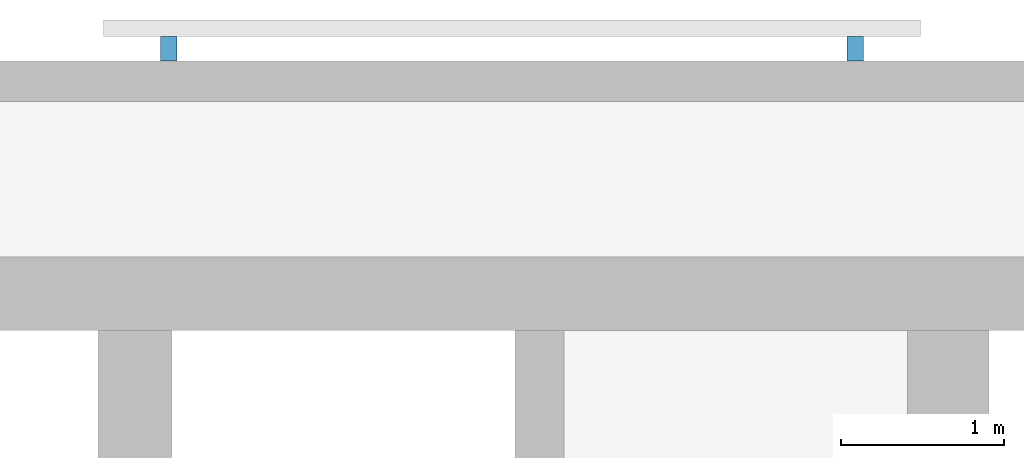
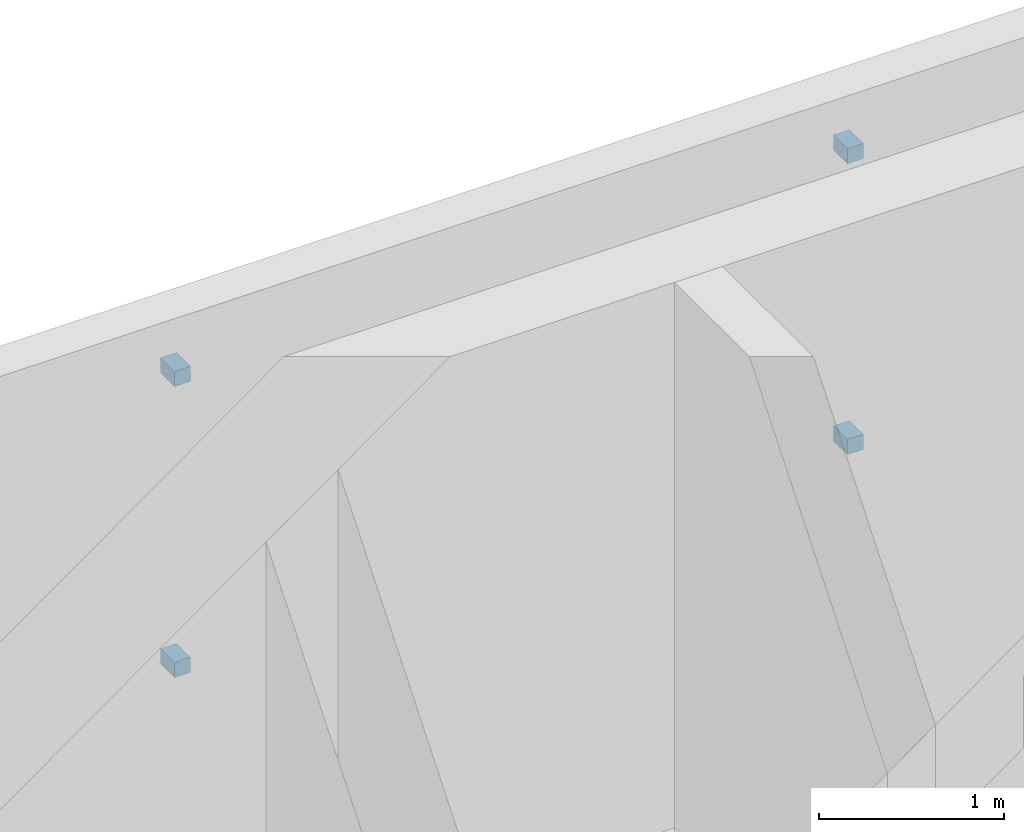
# One storey, part 10 of 13: 4 discrete accessories.
"""IFC4 building model written with IfcOpenShell, lengths in metres."""

import ifcopenshell
import ifcopenshell.guid

model = None  # the IFC model being written
_history = None  # IfcOwnerHistory: only IFC2X3 demands one
_inside = {}  # id of a spatial element -> (the spatial element, [elements in it])
_under = {}  # id of a project, library or spatial element -> (it, [spatial elements below it])
_declared = {}  # id of a project -> (the project, [libraries it declares])
_typed = {}  # id of a type object -> (the type object, [elements of that type])
_made_of = {}  # id of a material, layer set ... -> (it, [elements and type objects made of it])


def new_model(schema):
    """Start an empty IFC model of exactly this schema.

    Asked for "IFC4X3", IfcOpenShell would pick the latest addendum, in which some entities
    have other attributes; the version numbers below select the first issue.
    IFC2X3 requires an IfcOwnerHistory on every rooted entity: one is made here for all.
    """
    global model, _history
    if schema == "IFC4X3":
        model = ifcopenshell.file(schema_version=(4, 3, 0, 0))
    else:
        model = ifcopenshell.file(schema=schema)
    _inside.clear()
    _under.clear()
    _declared.clear()
    _typed.clear()
    _made_of.clear()
    _history = None
    if model.schema == "IFC2X3":
        org = make("IfcOrganization", Name="unknown")
        user = make(
            "IfcPersonAndOrganization",
            ThePerson=make("IfcPerson", FamilyName="unknown"),
            TheOrganization=org,
        )
        app = make(
            "IfcApplication",
            ApplicationDeveloper=org,
            Version="unknown",
            ApplicationFullName="unknown",
            ApplicationIdentifier="unknown",
        )
        _history = make(
            "IfcOwnerHistory",
            OwningUser=user,
            OwningApplication=app,
            ChangeAction="ADDED",
            CreationDate=0,
        )
    return model


def make(cls, **values):
    """One entity of the class cls with the attributes given. An attribute that is None is left unset."""
    return model.create_entity(
        cls, **{name: value for name, value in values.items() if value is not None}
    )


def rooted(cls, **values):
    """An entity with a GlobalId (a new one), such as an element, a storey or a relation."""
    return make(cls, GlobalId=ifcopenshell.guid.new(), OwnerHistory=_history, **values)


def si_unit(unit_type, name, prefix=None):
    """IfcSIUnit, for example si_unit("LENGTHUNIT", "METRE", prefix="MILLI")."""
    return make("IfcSIUnit", UnitType=unit_type, Prefix=prefix, Name=name)


def assignment(units):
    """IfcUnitAssignment: the units of a project."""
    return None if units is None else make("IfcUnitAssignment", Units=units)


def point(xyz):
    """IfcCartesianPoint."""
    return None if xyz is None else make("IfcCartesianPoint", Coordinates=xyz)


def direction(xyz):
    """IfcDirection."""
    return None if xyz is None else make("IfcDirection", DirectionRatios=xyz)


def frame(location, z_axis=None, x_axis=None):
    """IfcAxis2Placement3D, a coordinate frame: its origin and axes. An axis left out is left unset."""
    return make(
        "IfcAxis2Placement3D",
        Location=point(location),
        Axis=direction(z_axis),
        RefDirection=direction(x_axis),
    )


def frame_2d(location, x_axis=None):
    """IfcAxis2Placement2D, a coordinate frame in the plane: its origin and x axis."""
    return make(
        "IfcAxis2Placement2D", Location=point(location), RefDirection=direction(x_axis)
    )


def origin():
    """The frame at (0, 0, 0) with its axes left unset."""
    return frame((0.0, 0.0, 0.0))


def origin_2d():
    """The frame at (0, 0) in the plane with its x axis left unset."""
    return frame_2d((0.0, 0.0))


def place(relative_to, where):
    """IfcLocalPlacement: puts the frame where relative to a parent placement (None: the world)."""
    return make(
        "IfcLocalPlacement", PlacementRelTo=relative_to, RelativePlacement=where
    )


def context(
    kind, dimensions, precision=None, world=None, true_north=None, identifier=None
):
    """IfcGeometricRepresentationContext, for example the 3D "Model" context."""
    return make(
        "IfcGeometricRepresentationContext",
        ContextIdentifier=identifier,
        ContextType=kind,
        CoordinateSpaceDimension=dimensions,
        Precision=precision,
        WorldCoordinateSystem=world,
        TrueNorth=true_north,
    )


def subcontext(parent, identifier, kind, view, scale=None):
    """IfcGeometricRepresentationSubContext, for example "Body" below "Model"."""
    return make(
        "IfcGeometricRepresentationSubContext",
        ContextIdentifier=identifier,
        ContextType=kind,
        ParentContext=parent,
        TargetScale=scale,
        TargetView=view,
    )


def project(units=None, contexts=None):
    """IfcProject with its units and contexts."""
    return rooted(
        "IfcProject",
        Name="project",
        RepresentationContexts=contexts,
        UnitsInContext=assignment(units),
    )


def spatial(cls, under=None, at=None, **own):
    """A site, building, storey or space (cls), placed at a placement, below another one or the project."""
    s = rooted(cls, ObjectPlacement=at, **own)
    if under is not None:
        _under.setdefault(under.id(), (under, []))[1].append(s)
    return s


def profile(cls, at=None, kind="AREA", **sizes):
    """A parametric profile (cls). Its sizes go by their IFC names, for example OverallWidth=200.0."""
    return make(cls, ProfileType=kind, Position=at, **sizes)


def rectangle(**sizes):
    """IfcRectangleProfileDef."""
    return profile("IfcRectangleProfileDef", **sizes)


def extrude(swept, where, along, depth):
    """IfcExtrudedAreaSolid: the profile swept, set in the frame where, extruded along a direction by depth."""
    return make(
        "IfcExtrudedAreaSolid",
        SweptArea=swept,
        Position=where,
        ExtrudedDirection=direction(along),
        Depth=depth,
    )


def shape(context_of_items, identifier, shape_type, items):
    """IfcShapeRepresentation: the items that make up one representation, for example the "Body"."""
    return make(
        "IfcShapeRepresentation",
        ContextOfItems=context_of_items,
        RepresentationIdentifier=identifier,
        RepresentationType=shape_type,
        Items=items,
    )


def material(Name=None, Category=None):
    """IfcMaterial."""
    return make("IfcMaterial", Name=Name, Category=Category)


def made_of(thing, what):
    """Note that an element or type object is made of a material, layer set ...; save() writes the relation."""
    if what is not None:
        _made_of.setdefault(what.id(), (what, []))[1].append(thing)
    return thing


def type_object(cls, material=None, **own):
    """A type object (cls), such as IfcWallType, which elements share."""
    return made_of(rooted(cls, **own), material)


def element(
    cls,
    number,
    at=None,
    inside=None,
    cuts=None,
    type_object=None,
    material=None,
    context=None,
    identifier="Body",
    shape_type=None,
    held_by="IfcProductDefinitionShape",
    body=None,
    shapes=None,
    **own,
):
    """One element of the class cls, such as IfcWall. Its Tag is "e" and its number.

    at: its placement. inside: the storey or other place that contains it. cuts: it is an
    opening in that element (IfcRelVoidsElement). A single representation is given by context,
    identifier, shape_type and body (its items); several are given by shapes. held_by: the class
    of the entity that holds the representations. save() writes the other relations.
    """
    e = rooted(cls, Tag="e%d" % number, ObjectPlacement=at, **own)
    if body is not None:
        shapes = [shape(context, identifier, shape_type, body)]
    if shapes is not None:
        e.Representation = make(held_by, Representations=shapes)
    if inside is not None:
        _inside.setdefault(inside.id(), (inside, []))[1].append(e)
    if cuts is not None:
        rooted(
            "IfcRelVoidsElement", RelatingBuildingElement=cuts, RelatedOpeningElement=e
        )
    if type_object is not None:
        _typed.setdefault(type_object.id(), (type_object, []))[1].append(e)
    return made_of(e, material)


def aggregate(whole, parts):
    """IfcRelAggregates: a whole, such as a stair, and the parts it consists of."""
    return rooted("IfcRelAggregates", RelatingObject=whole, RelatedObjects=parts)


def save(model, path):
    """Write the relations noted so far, then the file.

    IfcRelAggregates (storeys below a building ...), IfcRelContainedInSpatialStructure (elements
    in a storey), IfcRelDefinesByType, IfcRelAssociatesMaterial and IfcRelDeclares: one each for
    every whole, place, type object, material and project.
    """
    for whole, parts in _under.values():
        aggregate(whole, parts)
    for where, things in _inside.values():
        rooted(
            "IfcRelContainedInSpatialStructure",
            RelatedElements=things,
            RelatingStructure=where,
        )
    for kind, things in _typed.values():
        rooted("IfcRelDefinesByType", RelatedObjects=things, RelatingType=kind)
    for what, things in _made_of.values():
        rooted("IfcRelAssociatesMaterial", RelatedObjects=things, RelatingMaterial=what)
    for by, libraries in _declared.values():
        rooted("IfcRelDeclares", RelatingContext=by, RelatedDefinitions=libraries)
    model.write(path)


model = new_model("IFC4")

# Units and contexts
model_context = context("Model", 3, precision=1e-05, world=origin(), true_north=direction((0.0, 1.0)))
body_context = subcontext(model_context, "Body", "Model", "MODEL_VIEW")
ifc_project = project(units=[si_unit("LENGTHUNIT", "METRE"), si_unit("AREAUNIT", "SQUARE_METRE"), si_unit("VOLUMEUNIT", "CUBIC_METRE"), si_unit("PLANEANGLEUNIT", "RADIAN"), si_unit("MASSUNIT", "GRAM", prefix="KILO")], contexts=[model_context])

# Site, building, storey
site_placement = place(None, origin())
site = spatial("IfcSite", under=ifc_project, at=site_placement, CompositionType="ELEMENT")
building_placement = place(site_placement, origin())
building = spatial("IfcBuilding", under=site, at=building_placement, Name="Torana Hotel and Residences", CompositionType="ELEMENT")
storey_placement = place(building_placement, frame((0.0, 0.0, 78.0)))
storey = spatial("IfcBuildingStorey", under=building, at=storey_placement, Name="L19", CompositionType="ELEMENT", Elevation=78.0)

# Discrete accessories
ifc_material = material(Name="Steel S355", Category="steel")
discrete_accessory_type = type_object("IfcDiscreteAccessoryType", Name="SCREEN BRACKET 100", PredefinedType="BRACKET", material=ifc_material)
for number, where, z_axis, x_axis, name in (
    (1, (23.681396484375, 1.27490234375, 0.75), (0.0, 0.0, 1.0), (-1.0, 0.0, 0.0), "Screen bracket L19"),
    (2, (23.681396484375, 1.27490234375, 2.669921875), (0.0, 0.0, 1.0), (-1.0, 0.0, 0.0), "Screen bracket L19"),
    (3, (19.4814453125, 1.27490234375, 0.75), (0.0, 0.0, 1.0), (-1.0, 0.0, 0.0), "Screen bracket L19"),
    (4, (19.4814453125, 1.27490234375, 2.669921875), (0.0, 0.0, 1.0), (-1.0, 0.0, 0.0), "Screen bracket L19"),
):
    element("IfcDiscreteAccessory", number, at=place(storey_placement, frame(where, z_axis=z_axis, x_axis=x_axis)), inside=storey, type_object=discrete_accessory_type, Name=name, PredefinedType="BRACKET", context=body_context, shape_type="SweptSolid", body=[
        extrude(rectangle(XDim=0.10009765625, YDim=0.14990234375, at=origin_2d()), origin(), (0.0, 0.0, 1.0), 0.10009765625),
    ])

save(model, "model.ifc")
